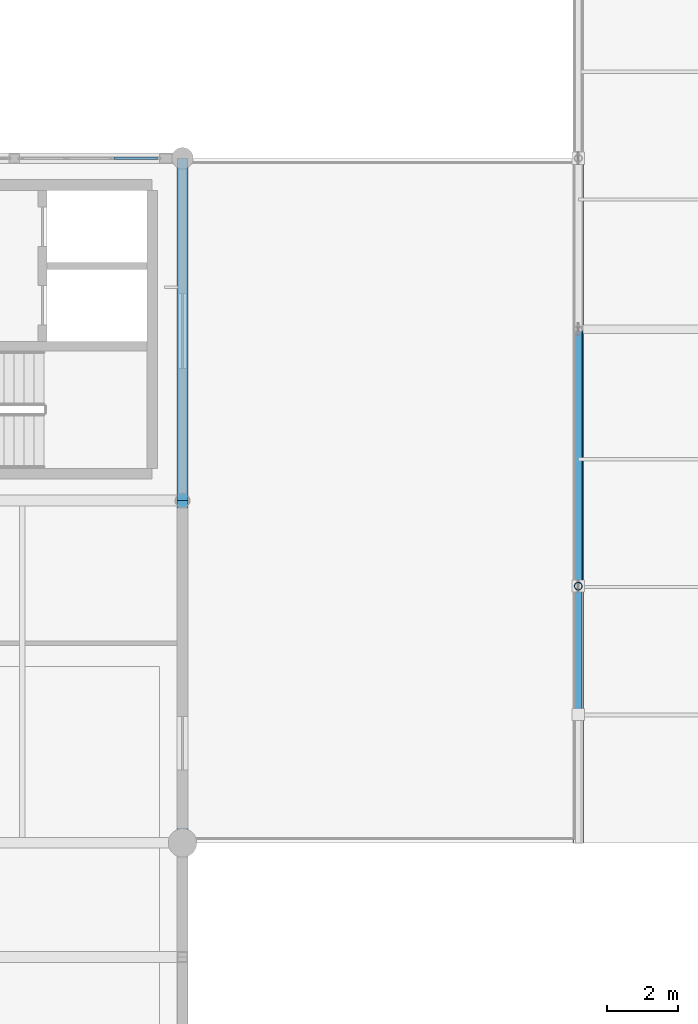
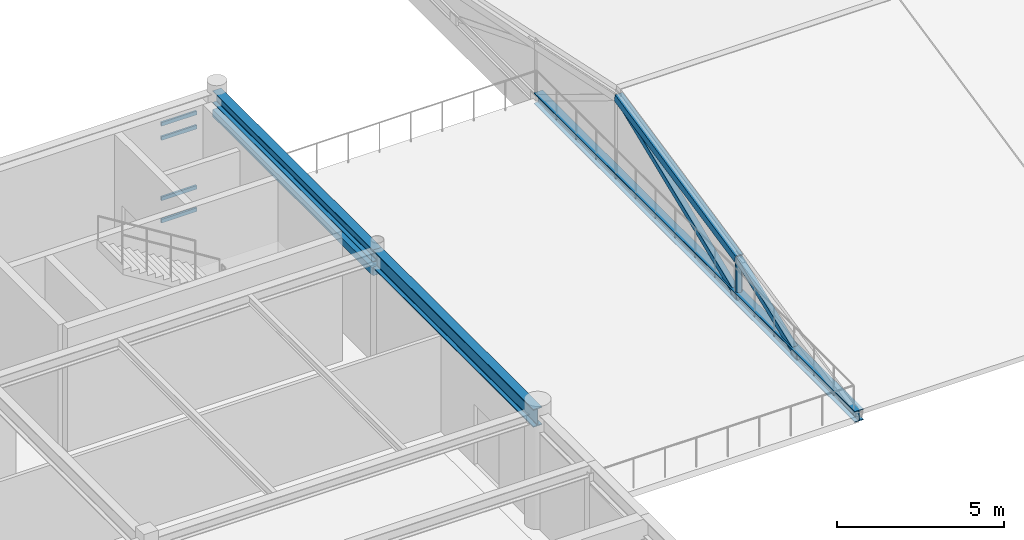
# One storey, part 22 of 61: 9 members, 3 beams, 1 element without a shape of its own.
"""IFC4 building model written with IfcOpenShell, lengths in metres."""

from ifc_helpers import new_model, si_unit, direction, frame, origin, origin_2d, place, context, subcontext, project, spatial, rectangle, hollow_rectangle, hollow_circle, i_section, extrude, material, layer, layer_set, material_profile, profile_set, type_object, element, aggregate, save


model = new_model("IFC4")

# Units and contexts
model_context = context("Model", 3, precision=1e-05, world=origin(), true_north=direction((0.0, 1.0)))
body_context = subcontext(model_context, "Body", "Model", "MODEL_VIEW")
ifc_project = project(units=[si_unit("LENGTHUNIT", "METRE"), si_unit("AREAUNIT", "SQUARE_METRE"), si_unit("VOLUMEUNIT", "CUBIC_METRE"), si_unit("PLANEANGLEUNIT", "RADIAN"), si_unit("MASSUNIT", "GRAM", prefix="KILO")], contexts=[model_context])

# Site, building, storey
site_placement = place(None, origin())
site = spatial("IfcSite", under=ifc_project, at=site_placement, CompositionType="ELEMENT")
building_placement = place(site_placement, origin())
building = spatial("IfcBuilding", under=site, at=building_placement, Name="Fikremerkos Civic Library", CompositionType="ELEMENT")
storey_placement = place(building_placement, frame((0.0, 0.0, 14.39990234375)))
storey = spatial("IfcBuildingStorey", under=building, at=storey_placement, Name="L03", CompositionType="ELEMENT", Elevation=14.39990234375)

# Curtain wall, members
ifc_material_1 = material(Name="Anodized aluminium Frame", Category="aluminium")
ifc_layer = layer(ifc_material_1, 0.159912109375, Name="Anodized aluminium Frame")
ifc_layer_set = layer_set([ifc_layer], Name="Anodized aluminium Frame")
curtain_wall_type = type_object("IfcCurtainWallType", Name="Unitised curtain wall CW-11 3200x3400", PredefinedType="USERDEFINED", material=ifc_layer_set)
curtain_wall_placement = place(storey_placement, origin())
curtain_wall = element("IfcCurtainWall", 1, at=curtain_wall_placement, inside=storey, type_object=curtain_wall_type, Name="Unitised curtain wall CW-11 L03 #209", ObjectType="UNITISED CURTAIN WALL", PredefinedType="USERDEFINED")
ifc_material_profile_1 = material_profile(ifc_material_1, hollow_rectangle(XDim=0.06494140625, YDim=0.135009765625, WallThickness=0.00439453125, at=origin_2d()), Name="ALU 135x65x4.5")
ifc_profile_set_1 = profile_set([ifc_material_profile_1], Name="Anodized aluminium Frame")
member_type_1 = type_object("IfcMemberType", Name="Curtain transom CWT-02 ALU 135x65x4.5", PredefinedType="USERDEFINED", material=ifc_profile_set_1)
member_1_placement = place(storey_placement, frame((111.77587890625, 31.199951171875, 0.03271484375), z_axis=(1.0, 0.0, 0.0), x_axis=(0.0, 1.0, 0.0)))
member_1 = element("IfcMember", 2, at=member_1_placement, type_object=member_type_1, Name="CW-11 transom 3.1", ObjectType="TRANSOM", PredefinedType="USERDEFINED", context=body_context, shape_type="SweptSolid", body=[
    extrude(hollow_rectangle(XDim=0.06494140625, YDim=0.135009765625, WallThickness=0.00439453125, at=origin_2d()), origin(), (0.0, 0.0, 1.0), 1.216064453125),
])
member_2_placement = place(storey_placement, frame((111.77587890625, 31.199951171875, 0.85009765625), z_axis=(1.0, 0.0, 0.0), x_axis=(0.0, 1.0, 0.0)))
member_2 = element("IfcMember", 3, at=member_2_placement, type_object=member_type_1, Name="CW-11 transom 3.2", ObjectType="TRANSOM", PredefinedType="USERDEFINED", context=body_context, shape_type="SweptSolid", body=[
    extrude(hollow_rectangle(XDim=0.06494140625, YDim=0.135009765625, WallThickness=0.00439453125, at=origin_2d()), origin(), (0.0, 0.0, 1.0), 1.216064453125),
])
member_3_placement = place(storey_placement, frame((111.77587890625, 31.199951171875, 3.050048828125), z_axis=(1.0, 0.0, 0.0), x_axis=(0.0, 1.0, 0.0)))
member_3 = element("IfcMember", 4, at=member_3_placement, type_object=member_type_1, Name="CW-11 transom 3.3", ObjectType="TRANSOM", PredefinedType="USERDEFINED", context=body_context, shape_type="SweptSolid", body=[
    extrude(hollow_rectangle(XDim=0.06494140625, YDim=0.135009765625, WallThickness=0.00439453125, at=origin_2d()), origin(), (0.0, 0.0, 1.0), 1.216064453125),
])
member_4_placement = place(storey_placement, frame((111.77587890625, 31.199951171875, 3.567626953125), z_axis=(1.0, 0.0, 0.0), x_axis=(0.0, 1.0, 0.0)))
member_4 = element("IfcMember", 5, at=member_4_placement, type_object=member_type_1, Name="CW-11 transom 3.4", ObjectType="TRANSOM", PredefinedType="USERDEFINED", context=body_context, shape_type="SweptSolid", body=[
    extrude(hollow_rectangle(XDim=0.06494140625, YDim=0.135009765625, WallThickness=0.00439453125, at=origin_2d()), origin(), (0.0, 0.0, 1.0), 1.216064453125),
])
aggregate(curtain_wall, [member_1, member_2, member_3, member_4])

# Members
ifc_material_2 = material(Name="Steel S355", Category="steel")
ifc_material_profile_2 = material_profile(ifc_material_2, hollow_rectangle(XDim=0.199951171875, YDim=0.199951171875, WallThickness=0.010009765625, at=origin_2d()), Name="SHS 200x200x10")
ifc_profile_set_2 = profile_set([ifc_material_profile_2], Name="Steel S355")
member_type_2 = type_object("IfcMemberType", Name="Diagonal brace BRC-02 SHS 200x200x10", PredefinedType="BRACE", material=ifc_profile_set_2)
member_5_placement = place(storey_placement, frame((124.800048828125, 15.60009765625, 0.0), z_axis=(0.0, 0.93281795077, 0.360347985594), x_axis=(-1.0, 0.0, 0.0)))
element("IfcMember", 6, at=member_5_placement, inside=storey, type_object=member_type_2, Name="Auditorium roof truss diagonal web BRC-02 X=124.8 #1", PredefinedType="BRACE", context=body_context, shape_type="SweptSolid", body=[
    extrude(hollow_rectangle(XDim=0.199951171875, YDim=0.199951171875, WallThickness=0.010009765625, at=origin_2d()), origin(), (0.0, 0.0, 1.0), 3.859130859375),
])
member_6_placement = place(storey_placement, frame((124.800048828125, 19.199951171875, 0.0), z_axis=(0.0, 0.926649649377, 0.375926092881), x_axis=(-1.0, 0.0, 0.0)))
element("IfcMember", 7, at=member_6_placement, inside=storey, type_object=member_type_2, Name="Auditorium roof truss diagonal web BRC-02 X=124.8 #2", PredefinedType="BRACE", context=body_context, shape_type="SweptSolid", body=[
    extrude(hollow_rectangle(XDim=0.199951171875, YDim=0.199951171875, WallThickness=0.010009765625, at=origin_2d()), origin(), (0.0, 0.0, 1.0), 7.769775390625),
])
ifc_material_profile_3 = material_profile(ifc_material_2, hollow_circle(Radius=0.109619140625, WallThickness=0.010009765625, at=origin_2d()), Name="CHS 219.1x10")
ifc_profile_set_3 = profile_set([ifc_material_profile_3], Name="Steel S355")
member_type_3 = type_object("IfcMemberType", Name="Frame post PST-03 CHS 219.1x10", PredefinedType="POST", material=ifc_profile_set_3)
member_7_placement = place(storey_placement, frame((124.800048828125, 19.199951171875, 0.0), z_axis=(0.0, 0.0, 1.0), x_axis=(1.0, 0.0, 0.0)))
element("IfcMember", 8, at=member_7_placement, inside=storey, type_object=member_type_3, Name="Auditorium roof truss vertical web PST-03 X=124.8 #1", PredefinedType="POST", context=body_context, shape_type="SweptSolid", body=[
    extrude(hollow_circle(Radius=0.109619140625, WallThickness=0.010009765625, at=origin_2d()), origin(), (0.0, 0.0, 1.0), 1.390625),
])

# Beams
ifc_material_3 = material(Name="Concrete C40/50", Category="concrete")
ifc_material_profile_4 = material_profile(ifc_material_3, rectangle(XDim=0.300048828125, YDim=0.260009765625, at=origin_2d()), Name="RC 300x260")
ifc_profile_set_4 = profile_set([ifc_material_profile_4], Name="Concrete C40/50")
beam_type_1 = type_object("IfcBeamType", Name="Opening lintel LNT-02 RC 300x260", PredefinedType="LINTEL", material=ifc_profile_set_4)
beam_1_placement = place(storey_placement, frame((113.699951171875, 31.199951171875, 3.35009765625), z_axis=(0.0, -1.0, 0.0), x_axis=(1.0, 0.0, 0.0)))
element("IfcBeam", 9, at=beam_1_placement, inside=storey, type_object=beam_type_1, Name="Courtyard window head lintel LNT-02 L03 #40", PredefinedType="LINTEL", context=body_context, shape_type="SweptSolid", body=[
    extrude(rectangle(XDim=0.300048828125, YDim=0.260009765625, at=origin_2d()), origin(), (0.0, 0.0, 1.0), 9.599853515625),
])
ifc_material_profile_5 = material_profile(ifc_material_2, i_section(OverallWidth=0.300048828125, OverallDepth=0.64990234375, WebThickness=0.01611328125, FlangeThickness=0.031005859375, FilletRadius=0.027099609375, at=origin_2d()), Name="HEB 650")
ifc_profile_set_5 = profile_set([ifc_material_profile_5], Name="Steel S355")
beam_type_2 = type_object("IfcBeamType", Name="Primary girder BM-12 HEB 650", PredefinedType="BEAM", material=ifc_profile_set_5)
beam_2_placement = place(storey_placement, frame((113.699951171875, 12.0, 3.835205078125), z_axis=(0.0, 1.0, 0.0), x_axis=(-1.0, 0.0, 0.0)))
element("IfcBeam", 10, at=beam_2_placement, inside=storey, type_object=beam_type_2, Name="Primary girder BM-12 L03 grid 10", PredefinedType="BEAM", context=body_context, shape_type="SweptSolid", body=[
    extrude(i_section(OverallWidth=0.300048828125, OverallDepth=0.64990234375, WebThickness=0.01611328125, FlangeThickness=0.031005859375, FilletRadius=0.027099609375, at=origin_2d()), origin(), (0.0, 0.0, 1.0), 9.60009765625),
])
ifc_material_profile_6 = material_profile(ifc_material_2, i_section(OverallWidth=0.300048828125, OverallDepth=0.43994140625, WebThickness=0.011474609375, FlangeThickness=0.02099609375, FilletRadius=0.027099609375, at=origin_2d()), Name="HEA 450")
ifc_profile_set_6 = profile_set([ifc_material_profile_6], Name="Steel S355")
beam_type_3 = type_object("IfcBeamType", Name="Primary girder BM-18 HEA 450", PredefinedType="BEAM", material=ifc_profile_set_6)
beam_3_placement = place(storey_placement, frame((113.699951171875, 21.60009765625, 3.940185546875), z_axis=(0.0, 1.0, 0.0), x_axis=(-1.0, 0.0, 0.0)))
element("IfcBeam", 11, at=beam_3_placement, inside=storey, type_object=beam_type_3, Name="Primary girder BM-18 L03 grid 10", PredefinedType="BEAM", context=body_context, shape_type="SweptSolid", body=[
    extrude(i_section(OverallWidth=0.300048828125, OverallDepth=0.43994140625, WebThickness=0.011474609375, FlangeThickness=0.02099609375, FilletRadius=0.027099609375, at=origin_2d()), origin(), (0.0, 0.0, 1.0), 9.599853515625),
])

# Members
ifc_material_profile_7 = material_profile(ifc_material_2, i_section(OverallWidth=0.300048828125, OverallDepth=0.39990234375, WebThickness=0.013427734375, FlangeThickness=0.02392578125, FilletRadius=0.027099609375, at=origin_2d()), Name="HEB 400")
ifc_profile_set_7 = profile_set([ifc_material_profile_7], Name="Steel S355")
member_type_4 = type_object("IfcMemberType", Name="Truss chord CHD-01 HEB 400", PredefinedType="CHORD", material=ifc_profile_set_7)
member_8_placement = place(storey_placement, frame((124.800048828125, 12.0, 0.0), z_axis=(0.0, 1.0, 0.0), x_axis=(-1.0, 0.0, 0.0)))
element("IfcMember", 12, at=member_8_placement, inside=storey, type_object=member_type_4, Name="Auditorium roof truss bottom chord CHD-01 X=124.8 #1", PredefinedType="CHORD", context=body_context, shape_type="SweptSolid", body=[
    extrude(i_section(OverallWidth=0.300048828125, OverallDepth=0.39990234375, WebThickness=0.013427734375, FlangeThickness=0.02392578125, FilletRadius=0.027099609375, at=origin_2d()), origin(), (0.0, 0.0, 1.0), 19.199951171875),
])
ifc_material_profile_8 = material_profile(ifc_material_2, hollow_rectangle(XDim=0.260009765625, YDim=0.260009765625, WallThickness=0.01416015625, at=origin_2d()), Name="SHS 260x260x14.2")
ifc_profile_set_8 = profile_set([ifc_material_profile_8], Name="Steel S355")
member_type_5 = type_object("IfcMemberType", Name="Truss chord CHD-03 SHS 260x260x14.2", PredefinedType="CHORD", material=ifc_profile_set_8)
member_9_placement = place(storey_placement, frame((124.800048828125, 19.199951171875, 1.390625), z_axis=(0.0, 0.978151010745, 0.207895647328), x_axis=(-1.0, 0.0, 0.0)))
element("IfcMember", 13, at=member_9_placement, inside=storey, type_object=member_type_5, Name="Auditorium roof truss top chord CHD-03 X=124.8 #2", PredefinedType="CHORD", context=body_context, shape_type="SweptSolid", body=[
    extrude(hollow_rectangle(XDim=0.260009765625, YDim=0.260009765625, WallThickness=0.01416015625, at=origin_2d()), origin(), (0.0, 0.0, 1.0), 7.36083984375),
])

save(model, "model.ifc")
